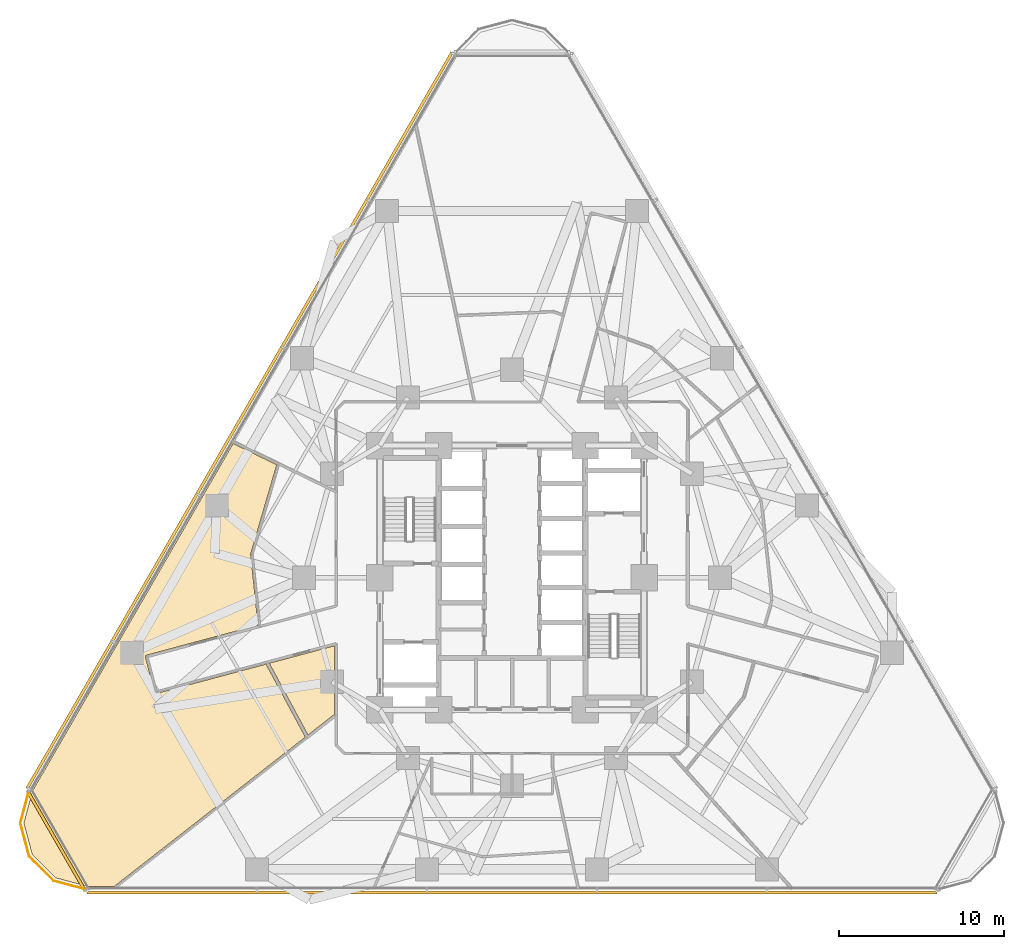
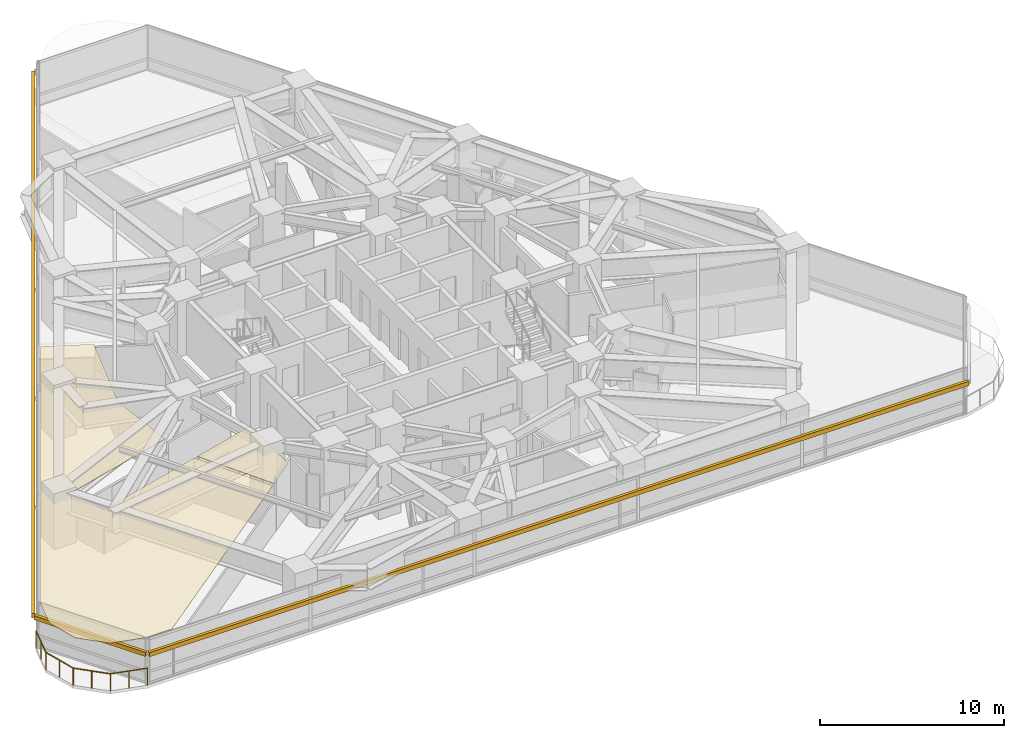
# One storey, part 13 of 15: 3 shading devices, 2 coverings, 1 railing.
"""IFC4 building model written with IfcOpenShell, lengths in metres."""

import ifcopenshell
import ifcopenshell.guid

model = None  # the IFC model being written
_history = None  # IfcOwnerHistory: only IFC2X3 demands one
_inside = {}  # id of a spatial element -> (the spatial element, [elements in it])
_under = {}  # id of a project, library or spatial element -> (it, [spatial elements below it])
_declared = {}  # id of a project -> (the project, [libraries it declares])
_typed = {}  # id of a type object -> (the type object, [elements of that type])
_made_of = {}  # id of a material, layer set ... -> (it, [elements and type objects made of it])


def new_model(schema):
    """Start an empty IFC model of exactly this schema.

    Asked for "IFC4X3", IfcOpenShell would pick the latest addendum, in which some entities
    have other attributes; the version numbers below select the first issue.
    IFC2X3 requires an IfcOwnerHistory on every rooted entity: one is made here for all.
    """
    global model, _history
    if schema == "IFC4X3":
        model = ifcopenshell.file(schema_version=(4, 3, 0, 0))
    else:
        model = ifcopenshell.file(schema=schema)
    _inside.clear()
    _under.clear()
    _declared.clear()
    _typed.clear()
    _made_of.clear()
    _history = None
    if model.schema == "IFC2X3":
        org = make("IfcOrganization", Name="unknown")
        user = make(
            "IfcPersonAndOrganization",
            ThePerson=make("IfcPerson", FamilyName="unknown"),
            TheOrganization=org,
        )
        app = make(
            "IfcApplication",
            ApplicationDeveloper=org,
            Version="unknown",
            ApplicationFullName="unknown",
            ApplicationIdentifier="unknown",
        )
        _history = make(
            "IfcOwnerHistory",
            OwningUser=user,
            OwningApplication=app,
            ChangeAction="ADDED",
            CreationDate=0,
        )
    return model


def make(cls, **values):
    """One entity of the class cls with the attributes given. An attribute that is None is left unset."""
    return model.create_entity(
        cls, **{name: value for name, value in values.items() if value is not None}
    )


def rooted(cls, **values):
    """An entity with a GlobalId (a new one), such as an element, a storey or a relation."""
    return make(cls, GlobalId=ifcopenshell.guid.new(), OwnerHistory=_history, **values)


def si_unit(unit_type, name, prefix=None):
    """IfcSIUnit, for example si_unit("LENGTHUNIT", "METRE", prefix="MILLI")."""
    return make("IfcSIUnit", UnitType=unit_type, Prefix=prefix, Name=name)


def assignment(units):
    """IfcUnitAssignment: the units of a project."""
    return None if units is None else make("IfcUnitAssignment", Units=units)


def point(xyz):
    """IfcCartesianPoint."""
    return None if xyz is None else make("IfcCartesianPoint", Coordinates=xyz)


def direction(xyz):
    """IfcDirection."""
    return None if xyz is None else make("IfcDirection", DirectionRatios=xyz)


def frame(location, z_axis=None, x_axis=None):
    """IfcAxis2Placement3D, a coordinate frame: its origin and axes. An axis left out is left unset."""
    return make(
        "IfcAxis2Placement3D",
        Location=point(location),
        Axis=direction(z_axis),
        RefDirection=direction(x_axis),
    )


def frame_2d(location, x_axis=None):
    """IfcAxis2Placement2D, a coordinate frame in the plane: its origin and x axis."""
    return make(
        "IfcAxis2Placement2D", Location=point(location), RefDirection=direction(x_axis)
    )


def origin():
    """The frame at (0, 0, 0) with its axes left unset."""
    return frame((0.0, 0.0, 0.0))


def origin_2d():
    """The frame at (0, 0) in the plane with its x axis left unset."""
    return frame_2d((0.0, 0.0))


def place(relative_to, where):
    """IfcLocalPlacement: puts the frame where relative to a parent placement (None: the world)."""
    return make(
        "IfcLocalPlacement", PlacementRelTo=relative_to, RelativePlacement=where
    )


def context(
    kind, dimensions, precision=None, world=None, true_north=None, identifier=None
):
    """IfcGeometricRepresentationContext, for example the 3D "Model" context."""
    return make(
        "IfcGeometricRepresentationContext",
        ContextIdentifier=identifier,
        ContextType=kind,
        CoordinateSpaceDimension=dimensions,
        Precision=precision,
        WorldCoordinateSystem=world,
        TrueNorth=true_north,
    )


def subcontext(parent, identifier, kind, view, scale=None):
    """IfcGeometricRepresentationSubContext, for example "Body" below "Model"."""
    return make(
        "IfcGeometricRepresentationSubContext",
        ContextIdentifier=identifier,
        ContextType=kind,
        ParentContext=parent,
        TargetScale=scale,
        TargetView=view,
    )


def project(units=None, contexts=None):
    """IfcProject with its units and contexts."""
    return rooted(
        "IfcProject",
        Name="project",
        RepresentationContexts=contexts,
        UnitsInContext=assignment(units),
    )


def spatial(cls, under=None, at=None, **own):
    """A site, building, storey or space (cls), placed at a placement, below another one or the project."""
    s = rooted(cls, ObjectPlacement=at, **own)
    if under is not None:
        _under.setdefault(under.id(), (under, []))[1].append(s)
    return s


def polyline(points):
    """IfcPolyline through the points."""
    return make("IfcPolyline", Points=[point(p) for p in points])


def profile(cls, at=None, kind="AREA", **sizes):
    """A parametric profile (cls). Its sizes go by their IFC names, for example OverallWidth=200.0."""
    return make(cls, ProfileType=kind, Position=at, **sizes)


def rectangle(**sizes):
    """IfcRectangleProfileDef."""
    return profile("IfcRectangleProfileDef", **sizes)


def circle(**sizes):
    """IfcCircleProfileDef."""
    return profile("IfcCircleProfileDef", **sizes)


def outline(outer, holes=None, kind="AREA"):
    """IfcArbitraryClosedProfileDef: a profile drawn as a closed curve; with holes, ...WithVoids."""
    if holes is None:
        return make("IfcArbitraryClosedProfileDef", ProfileType=kind, OuterCurve=outer)
    return make(
        "IfcArbitraryProfileDefWithVoids",
        ProfileType=kind,
        OuterCurve=outer,
        InnerCurves=holes,
    )


def extrude(swept, where, along, depth):
    """IfcExtrudedAreaSolid: the profile swept, set in the frame where, extruded along a direction by depth."""
    return make(
        "IfcExtrudedAreaSolid",
        SweptArea=swept,
        Position=where,
        ExtrudedDirection=direction(along),
        Depth=depth,
    )


def shape(context_of_items, identifier, shape_type, items):
    """IfcShapeRepresentation: the items that make up one representation, for example the "Body"."""
    return make(
        "IfcShapeRepresentation",
        ContextOfItems=context_of_items,
        RepresentationIdentifier=identifier,
        RepresentationType=shape_type,
        Items=items,
    )


def material(Name=None, Category=None):
    """IfcMaterial."""
    return make("IfcMaterial", Name=Name, Category=Category)


def layer(
    of_material, thickness, ventilated=None, Name=None, Category=None, Priority=None
):
    """IfcMaterialLayer: one layer of a wall or slab, of a material (None: an air gap)."""
    return make(
        "IfcMaterialLayer",
        Material=of_material,
        LayerThickness=thickness,
        IsVentilated=ventilated,
        Name=Name,
        Category=Category,
        Priority=Priority,
    )


def layer_set(layers, Name=None):
    """IfcMaterialLayerSet."""
    return make("IfcMaterialLayerSet", MaterialLayers=layers, LayerSetName=Name)


def made_of(thing, what):
    """Note that an element or type object is made of a material, layer set ...; save() writes the relation."""
    if what is not None:
        _made_of.setdefault(what.id(), (what, []))[1].append(thing)
    return thing


def type_object(cls, material=None, **own):
    """A type object (cls), such as IfcWallType, which elements share."""
    return made_of(rooted(cls, **own), material)


def element(
    cls,
    number,
    at=None,
    inside=None,
    cuts=None,
    type_object=None,
    material=None,
    context=None,
    identifier="Body",
    shape_type=None,
    held_by="IfcProductDefinitionShape",
    body=None,
    shapes=None,
    **own,
):
    """One element of the class cls, such as IfcWall. Its Tag is "e" and its number.

    at: its placement. inside: the storey or other place that contains it. cuts: it is an
    opening in that element (IfcRelVoidsElement). A single representation is given by context,
    identifier, shape_type and body (its items); several are given by shapes. held_by: the class
    of the entity that holds the representations. save() writes the other relations.
    """
    e = rooted(cls, Tag="e%d" % number, ObjectPlacement=at, **own)
    if body is not None:
        shapes = [shape(context, identifier, shape_type, body)]
    if shapes is not None:
        e.Representation = make(held_by, Representations=shapes)
    if inside is not None:
        _inside.setdefault(inside.id(), (inside, []))[1].append(e)
    if cuts is not None:
        rooted(
            "IfcRelVoidsElement", RelatingBuildingElement=cuts, RelatedOpeningElement=e
        )
    if type_object is not None:
        _typed.setdefault(type_object.id(), (type_object, []))[1].append(e)
    return made_of(e, material)


def aggregate(whole, parts):
    """IfcRelAggregates: a whole, such as a stair, and the parts it consists of."""
    return rooted("IfcRelAggregates", RelatingObject=whole, RelatedObjects=parts)


def save(model, path):
    """Write the relations noted so far, then the file.

    IfcRelAggregates (storeys below a building ...), IfcRelContainedInSpatialStructure (elements
    in a storey), IfcRelDefinesByType, IfcRelAssociatesMaterial and IfcRelDeclares: one each for
    every whole, place, type object, material and project.
    """
    for whole, parts in _under.values():
        aggregate(whole, parts)
    for where, things in _inside.values():
        rooted(
            "IfcRelContainedInSpatialStructure",
            RelatedElements=things,
            RelatingStructure=where,
        )
    for kind, things in _typed.values():
        rooted("IfcRelDefinesByType", RelatedObjects=things, RelatingType=kind)
    for what, things in _made_of.values():
        rooted("IfcRelAssociatesMaterial", RelatedObjects=things, RelatingMaterial=what)
    for by, libraries in _declared.values():
        rooted("IfcRelDeclares", RelatingContext=by, RelatedDefinitions=libraries)
    model.write(path)


model = new_model("IFC4")

# Units and contexts
model_context = context("Model", 3, precision=1e-05, world=origin(), true_north=direction((0.0, 1.0)))
body_context = subcontext(model_context, "Body", "Model", "MODEL_VIEW")
ifc_project = project(units=[si_unit("LENGTHUNIT", "METRE"), si_unit("AREAUNIT", "SQUARE_METRE"), si_unit("VOLUMEUNIT", "CUBIC_METRE"), si_unit("PLANEANGLEUNIT", "RADIAN"), si_unit("MASSUNIT", "GRAM", prefix="KILO")], contexts=[model_context])

# Site, building, storey
site_placement = place(None, origin())
site = spatial("IfcSite", under=ifc_project, at=site_placement, CompositionType="ELEMENT")
building_placement = place(site_placement, origin())
building = spatial("IfcBuilding", under=site, at=building_placement, Name="Terralouvre Media Tower", CompositionType="ELEMENT")
storey_placement = place(building_placement, frame((0.0, 0.0, 51.89990234375)))
storey = spatial("IfcBuildingStorey", under=building, at=storey_placement, Name="L12", CompositionType="ELEMENT", Elevation=51.89990234375)

# Coverings
ifc_material_1 = material(Name="Perforated aluminium acoustic ceiling baffle", Category="aluminium")
ifc_layer_1 = layer(ifc_material_1, 0.0400390625, Name="Perforated Acoustic Metal Tile Ceiling CL-AC1")
ifc_layer_set_1 = layer_set([ifc_layer_1], Name="Perforated aluminium acoustic ceiling baffle")
covering_type = type_object("IfcCoveringType", Name="Perforated Acoustic Metal Tile Ceiling CL-AC1", PredefinedType="CEILING", material=ifc_layer_set_1)
covering_1_placement = place(storey_placement, frame((0.0, 0.0, 2.97998046875)))
element("IfcCovering", 1, at=covering_1_placement, inside=storey, type_object=covering_type, Name="L12 Media Reference Library 3 Acoustic Ceiling", PredefinedType="CEILING", context=body_context, shape_type="SweptSolid", body=[
    extrude(outline(polyline([(-10.75, -8.272216796875), (-10.75, -4.122314453125), (-14.702880859375, -5.181884765625), (-12.359130859375, -9.529296875), (-10.75, -8.272216796875)])), origin(), (0.0, 0.0, 1.0), 0.0400390625),
])
covering_2_placement = place(storey_placement, frame((0.0, 0.0, 2.97998046875)))
element("IfcCovering", 2, at=covering_2_placement, inside=storey, type_object=covering_type, Name="L12 Student Project Breakout Room 7 Acoustic Ceiling", PredefinedType="CEILING", context=body_context, shape_type="SweptSolid", body=[
    extrude(outline(polyline([(-14.901611328125, -5.235107421875), (-21.51904296875, -7.008544921875), (-21.52880859375, -7.0107421875), (-21.53857421875, -7.01171875), (-21.54833984375, -7.011962890625), (-21.55810546875, -7.010986328125), (-21.567626953125, -7.009521484375), (-21.5771484375, -7.006591796875), (-21.586181640625, -7.003173828125), (-21.594970703125, -6.99853515625), (-21.603271484375, -6.993408203125), (-21.61083984375, -6.9873046875), (-21.617919921875, -6.98046875), (-21.624267578125, -6.972900390625), (-21.6298828125, -6.96484375), (-21.634765625, -6.956298828125), (-21.638671875, -6.947265625), (-21.6416015625, -6.93798828125), (-22.211669921875, -4.81298828125), (-22.213623046875, -4.80322265625), (-22.21484375, -4.793701171875), (-22.21484375, -4.78369140625), (-22.214111328125, -4.77392578125), (-22.21240234375, -4.764404296875), (-22.209716796875, -4.7548828125), (-22.2060546875, -4.74560546875), (-22.20166015625, -4.737060546875), (-22.1962890625, -4.728759765625), (-22.190185546875, -4.72119140625), (-22.183349609375, -4.714111328125), (-22.17578125, -4.707763671875), (-22.167724609375, -4.7021484375), (-22.1591796875, -4.697265625), (-22.150146484375, -4.693359375), (-22.140869140625, -4.6904296875), (-15.384521484375, -2.87939453125), (-15.83544921875, 1.41259765625), (-15.8359375, 1.42236328125), (-15.835693359375, 1.431884765625), (-15.834228515625, 1.441650390625), (-15.83203125, 1.451171875), (-14.252685546875, 6.840087890625), (-16.89599609375, 8.129150390625), (-29.052734375, -12.926513671875), (-29.572509765625, -14.866943359375), (-29.060302734375, -16.7783203125), (-27.6611328125, -18.17724609375), (-25.720703125, -18.697021484375), (-24.093505859375, -18.697021484375), (-12.51904296875, -9.654296875), (-14.901611328125, -5.235107421875)])), origin(), (0.0, 0.0, 1.0), 0.0400390625),
])

# Railing
ifc_material_2 = material(Name="Stainless steel 316 handrail and balustrade", Category="steel")
ifc_layer_2 = layer(ifc_material_2, 0.06005859375, Name="Roof Edge Safety Guardrail GR-ROOF1")
ifc_layer_set_2 = layer_set([ifc_layer_2], Name="Stainless steel 316 handrail and balustrade")
railing_type = type_object("IfcRailingType", Name="Roof Edge Safety Guardrail GR-ROOF1", PredefinedType="GUARDRAIL", material=ifc_layer_set_2)
railing_placement = place(storey_placement, frame((-29.24365234375, -12.835693359375, 0.0)))
element("IfcRailing", 3, at=railing_placement, inside=storey, type_object=railing_type, Name="L12 Wind-Corner Perimeter Safety Guardrail C0", PredefinedType="GUARDRAIL", context=body_context, shape_type="SweptSolid", body=[
    extrude(circle(Radius=0.02099609375, at=origin_2d()), frame((0.0, 0.0, 1.12890625), z_axis=(-0.259054358605, -0.965862743503, 0.0), x_axis=(0.965862743503, -0.259054358605, 0.0)), (0.0, 0.0, 1.0), 2.095947265625),
    extrude(circle(Radius=0.02099609375, at=origin_2d()), frame((-0.54296875, -2.0244140625, 1.12890625), z_axis=(0.258757438042, -0.965942331745, 0.0), x_axis=(0.965942331745, 0.258757438042, 0.0)), (0.0, 0.0, 1.0), 2.095458984375),
    extrude(circle(Radius=0.02099609375, at=origin_2d()), frame((-0.000732421875, -4.048583984375, 1.12890625), z_axis=(0.707165029613, -0.707048527961, 0.0), x_axis=(0.707048527961, 0.707165029613, 0.0)), (0.0, 0.0, 1.0), 2.095703125),
    extrude(circle(Radius=0.02099609375, at=origin_2d()), frame((1.481201171875, -5.5302734375, 1.12890625), z_axis=(0.965987029675, -0.258590522836, 0.0), x_axis=(0.258590522836, 0.965987029675, 0.0)), (0.0, 0.0, 1.0), 2.095947265625),
    extrude(circle(Radius=0.01904296875, at=origin_2d()), origin(), (0.0, 0.0, 1.0), 1.10791015625),
    extrude(circle(Radius=0.01904296875, at=origin_2d()), frame((-0.271484375, -1.01220703125, 0.0)), (0.0, 0.0, 1.0), 1.10791015625),
    extrude(circle(Radius=0.01904296875, at=origin_2d()), frame((-0.54296875, -2.0244140625, 0.0)), (0.0, 0.0, 1.0), 1.10791015625),
    extrude(circle(Radius=0.01904296875, at=origin_2d()), frame((-0.27197265625, -3.03662109375, 0.0)), (0.0, 0.0, 1.0), 1.10791015625),
    extrude(circle(Radius=0.01904296875, at=origin_2d()), frame((-0.000732421875, -4.048583984375, 0.0)), (0.0, 0.0, 1.0), 1.10791015625),
    extrude(circle(Radius=0.01904296875, at=origin_2d()), frame((0.740234375, -4.78955078125, 0.0)), (0.0, 0.0, 1.0), 1.10791015625),
    extrude(circle(Radius=0.01904296875, at=origin_2d()), frame((1.481201171875, -5.5302734375, 0.0)), (0.0, 0.0, 1.0), 1.10791015625),
    extrude(circle(Radius=0.01904296875, at=origin_2d()), frame((2.49365234375, -5.80126953125, 0.0)), (0.0, 0.0, 1.0), 1.10791015625),
    extrude(circle(Radius=0.01904296875, at=origin_2d()), frame((3.505859375, -6.072265625, 0.0)), (0.0, 0.0, 1.0), 1.10791015625),
])

# Shading devices
ifc_material_3 = material(Name="Extruded terracotta baguette sunshade louvres", Category="masonry")
shading_device_type = type_object("IfcShadingDeviceType", Name="Terracotta Baguette Sunshade Louvre Screen TB-LV1", PredefinedType="USERDEFINED", material=ifc_material_3)
for number, where, z_axis, x_axis, name in (
    (4, (0.0, -19.056884765625, 2.02392578125), (0.0, 0.0, 1.0), (1.0, 0.0, 0.0), "CW-L12-F0 Terracotta Baguette Sunshade Louvre"),
    (5, (-16.503662109375, 9.5283203125, 2.02392578125), (0.0, 0.0, 1.0), (-0.499999985671, -0.866025412057, 0.0), "CW-L12-F2 Terracotta Baguette Sunshade Louvre"),
):
    element("IfcShadingDevice", number, at=place(storey_placement, frame(where, z_axis=z_axis, x_axis=x_axis)), inside=storey, type_object=shading_device_type, Name=name, ObjectType="BAGUETTE", PredefinedType="USERDEFINED", context=body_context, shape_type="SweptSolid", body=[
        extrude(rectangle(XDim=51.5, YDim=0.179931640625, at=origin_2d()), origin(), (0.0, 0.0, 1.0), 0.280029296875),
    ])
shading_device_placement = place(storey_placement, frame((-27.607666015625, -15.939208984375, 2.02392578125), z_axis=(0.0, 0.0, 1.0), x_axis=(0.499999691503, -0.866025581895, 0.0)))
element("IfcShadingDevice", 6, at=shading_device_placement, inside=storey, type_object=shading_device_type, Name="CW-L12-C0 Terracotta Baguette Sunshade Louvre", ObjectType="BAGUETTE", PredefinedType="USERDEFINED", context=body_context, shape_type="SweptSolid", body=[
    extrude(rectangle(XDim=7.014892578125, YDim=0.179931640625, at=origin_2d()), origin(), (0.0, 0.0, 1.0), 0.280029296875),
])

save(model, "model.ifc")
